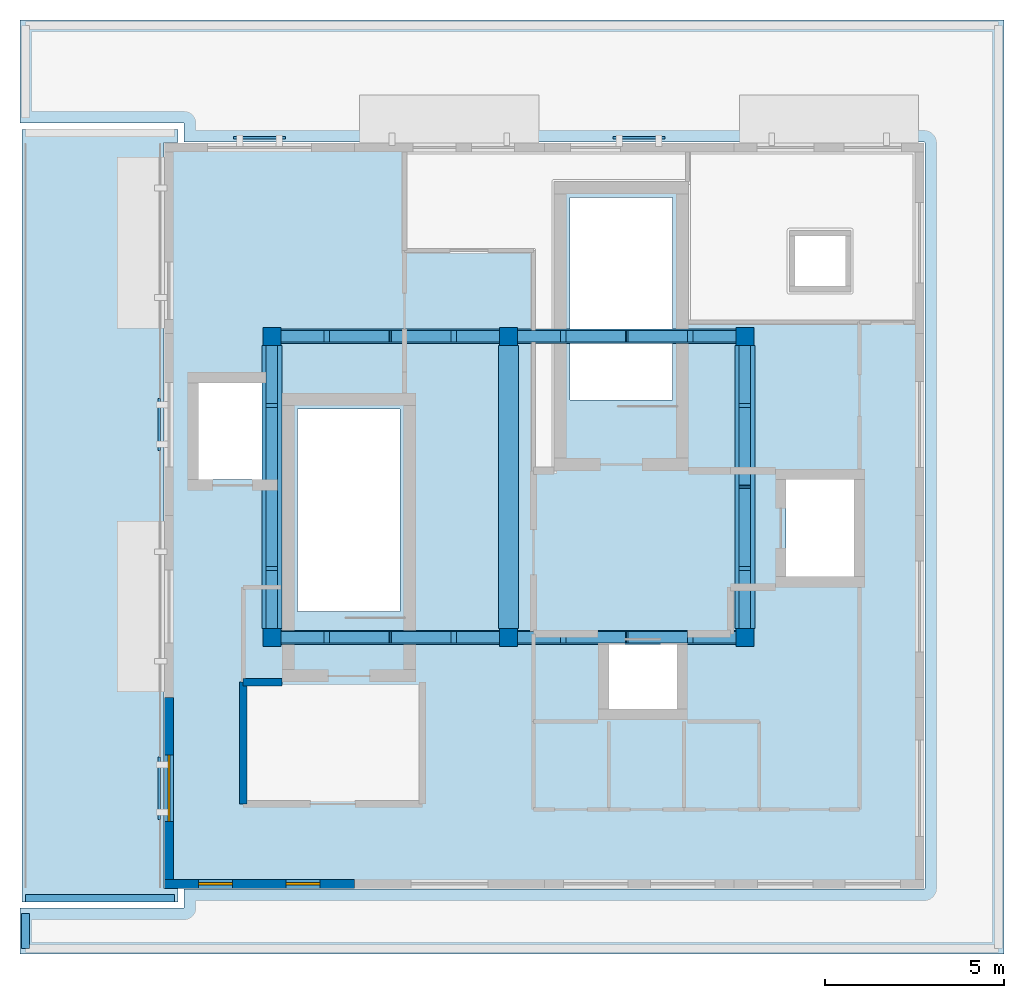
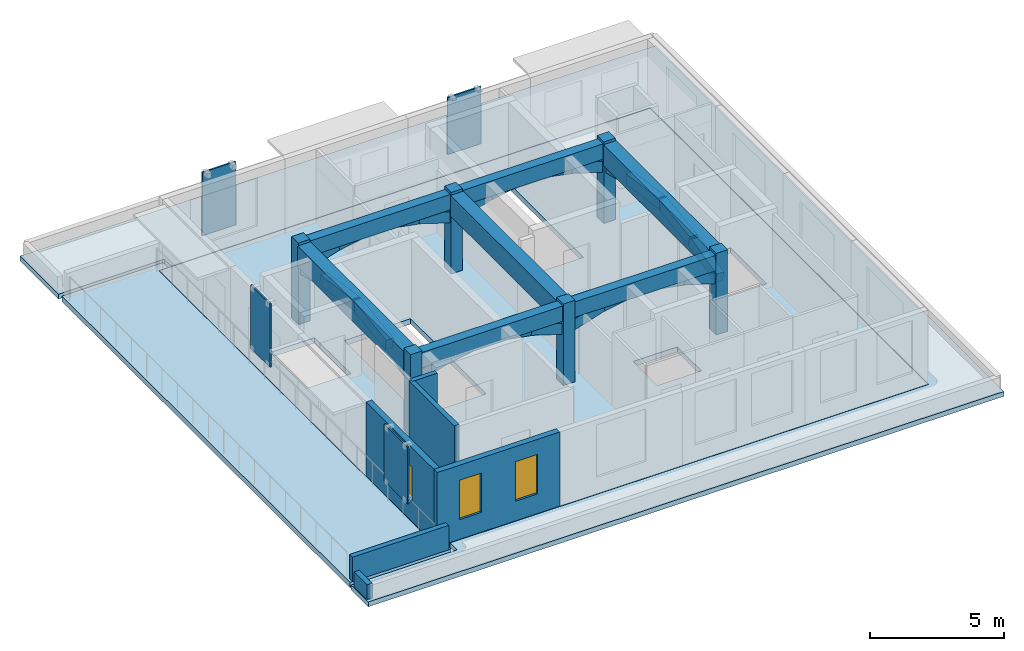
# One storey, part 1 of 5: 24 members, 7 beams, 6 columns, 6 walls, 4 plates, 3 slabs, 3 windows, 3 openings.
"""IFC4 building model written with IfcOpenShell, lengths in metres."""

from ifc_helpers import new_model, si_unit, direction, frame, frame_2d, origin, origin_2d, place, context, subcontext, project, spatial, polyline, rectangle, outline, extrude, material, layer, layer_set, material_profile, profile_set, type_object, element, fill, save


model = new_model("IFC4")

# Units and contexts
model_context = context("Model", 3, precision=1e-05, world=origin(), true_north=direction((0.0, 1.0)))
body_context = subcontext(model_context, "Body", "Model", "MODEL_VIEW")
ifc_project = project(units=[si_unit("LENGTHUNIT", "METRE"), si_unit("AREAUNIT", "SQUARE_METRE"), si_unit("VOLUMEUNIT", "CUBIC_METRE"), si_unit("PLANEANGLEUNIT", "RADIAN"), si_unit("MASSUNIT", "GRAM", prefix="KILO")], contexts=[model_context])

# Site, building, storey
site_placement = place(None, origin())
site = spatial("IfcSite", under=ifc_project, at=site_placement, CompositionType="ELEMENT")
building_placement = place(site_placement, origin())
building = spatial("IfcBuilding", under=site, at=building_placement, Name="Kolvaren Faculty of Natural Sciences", CompositionType="ELEMENT")
storey_placement = place(building_placement, frame((0.0, 0.0, 44.39990234375)))
storey = spatial("IfcBuildingStorey", under=building, at=storey_placement, Name="L10", CompositionType="ELEMENT", Elevation=44.39990234375)

# Columns
ifc_material_1 = material(Name="Concrete C35/45", Category="concrete")
ifc_material_profile_1 = material_profile(ifc_material_1, rectangle(XDim=0.5, YDim=0.5, at=origin_2d()), Name="RC COL 500x500")
ifc_profile_set_1 = profile_set([ifc_material_profile_1], Name="Concrete C35/45")
column_type = type_object("IfcColumnType", Name="GaliboColumn_500x500", PredefinedType="COLUMN", material=ifc_profile_set_1)
for number, where, z_axis, x_axis, name in (
    (1, (152.0, 67.39990234375, 0.0), (0.0, 0.0, 1.0), (1.0, 0.0, 0.0), "L10 column GC-50 at 24/J"),
    (2, (152.0, 75.800048828125, 0.0), (0.0, 0.0, 1.0), (1.0, 0.0, 0.0), "L10 column GC-50 at 24/K"),
    (3, (158.60009765625, 67.39990234375, 0.0), (0.0, 0.0, 1.0), (1.0, 0.0, 0.0), "L10 column GC-50 at 25/J"),
    (4, (158.60009765625, 75.800048828125, 0.0), (0.0, 0.0, 1.0), (1.0, 0.0, 0.0), "L10 column GC-50 at 25/K"),
    (5, (165.199951171875, 67.39990234375, 0.0), (0.0, 0.0, 1.0), (1.0, 0.0, 0.0), "L10 column GC-50 at 26/J"),
    (6, (165.199951171875, 75.800048828125, 0.0), (0.0, 0.0, 1.0), (1.0, 0.0, 0.0), "L10 column GC-50 at 26/K"),
):
    element("IfcColumn", number, at=place(storey_placement, frame(where, z_axis=z_axis, x_axis=x_axis)), inside=storey, type_object=column_type, Name=name, PredefinedType="COLUMN", context=body_context, shape_type="SweptSolid", body=[
        extrude(rectangle(XDim=0.5, YDim=0.5, at=origin_2d()), origin(), (0.0, 0.0, 1.0), 3.72021484375),
    ])

# Beams
ifc_material_2 = material(Name="Concrete C40/50", Category="concrete")
ifc_material_profile_2 = material_profile(ifc_material_2, rectangle(XDim=0.550048828125, YDim=0.949951171875, at=origin_2d()), Name="RC BM 550x950")
ifc_profile_set_2 = profile_set([ifc_material_profile_2], Name="Concrete C40/50")
beam_type_1 = type_object("IfcBeamType", Name="HallGirder_550x950", PredefinedType="BEAM", material=ifc_profile_set_2)
for number, where, z_axis, x_axis, name in (
    (7, (152.0, 67.64990234375, 3.125), (0.0, 1.0, 0.0), (-1.0, 0.0, 0.0), "L10 lantern pavilion roof tie girder 152"),
    (8, (158.60009765625, 67.64990234375, 3.125), (0.0, 1.0, 0.0), (-1.0, 0.0, 0.0), "L10 lantern pavilion roof tie girder 158"),
    (9, (165.199951171875, 67.64990234375, 3.125), (0.0, 1.0, 0.0), (-1.0, 0.0, 0.0), "L10 lantern pavilion roof tie girder 165"),
):
    element("IfcBeam", number, at=place(storey_placement, frame(where, z_axis=z_axis, x_axis=x_axis)), inside=storey, type_object=beam_type_1, Name=name, PredefinedType="BEAM", context=body_context, shape_type="SweptSolid", body=[
        extrude(rectangle(XDim=0.550048828125, YDim=0.949951171875, at=origin_2d()), origin(), (0.0, 0.0, 1.0), 7.900146484375),
    ])

# Members
ifc_material_3 = material(Name="Precast concrete C35/45", Category="concrete")
ifc_material_profile_3 = material_profile(ifc_material_3, rectangle(XDim=0.320068359375, YDim=0.47998046875, at=origin_2d()), Name="RC ARCH 320x480")
ifc_profile_set_3 = profile_set([ifc_material_profile_3], Name="Precast concrete C35/45")
member_type = type_object("IfcMemberType", Name="MughalPointedArchRib_320x480", PredefinedType="CHORD", material=ifc_profile_set_3)
member_1_placement = place(storey_placement, frame((151.923828125, 67.39990234375, 2.42578125), z_axis=(0.952551964786, 0.0, 0.304376008224), x_axis=(0.0, 1.0, 0.0)))
element("IfcMember", 10, at=member_1_placement, inside=storey, type_object=member_type, Name="Pointed Mughal arch rib ARL-S-152 segment 1", PredefinedType="CHORD", context=body_context, shape_type="SweptSolid", body=[
    extrude(rectangle(XDim=0.320068359375, YDim=0.47998046875, at=origin_2d()), origin(), (0.0, 0.0, 1.0), 1.684326171875),
])
member_2_placement = place(storey_placement, frame((153.373291015625, 67.39990234375, 2.89990234375), z_axis=(0.983879491152, 0.0, 0.178832734391), x_axis=(0.0, 1.0, 0.0)))
element("IfcMember", 11, at=member_2_placement, inside=storey, type_object=member_type, Name="Pointed Mughal arch rib ARL-S-152 segment 2", PredefinedType="CHORD", context=body_context, shape_type="SweptSolid", body=[
    extrude(rectangle(XDim=0.320068359375, YDim=0.47998046875, at=origin_2d()), origin(), (0.0, 0.0, 1.0), 2.038330078125),
])
member_3_placement = place(storey_placement, frame((155.22119140625, 67.39990234375, 3.264404296875), z_axis=(0.983883321203, 0.0, -0.178811661419), x_axis=(0.0, 1.0, 0.0)))
element("IfcMember", 12, at=member_3_placement, inside=storey, type_object=member_type, Name="Pointed Mughal arch rib ARL-S-152 segment 3", PredefinedType="CHORD", context=body_context, shape_type="SweptSolid", body=[
    extrude(rectangle(XDim=0.320068359375, YDim=0.47998046875, at=origin_2d()), origin(), (0.0, 0.0, 1.0), 2.03857421875),
])
for number, where, z_axis, x_axis, name in (
    (13, (157.07177734375, 67.39990234375, 2.9384765625), (0.952551964786, 0.0, -0.304376008224), (0.0, 1.0, 0.0), "Pointed Mughal arch rib ARL-S-152 segment 4"),
    (14, (151.923828125, 75.800048828125, 2.42578125), (0.952551964786, 0.0, 0.304376008224), (0.0, 1.0, 0.0), "Pointed Mughal arch rib ARL-N-152 segment 1"),
):
    element("IfcMember", number, at=place(storey_placement, frame(where, z_axis=z_axis, x_axis=x_axis)), inside=storey, type_object=member_type, Name=name, PredefinedType="CHORD", context=body_context, shape_type="SweptSolid", body=[
        extrude(rectangle(XDim=0.320068359375, YDim=0.47998046875, at=origin_2d()), origin(), (0.0, 0.0, 1.0), 1.684326171875),
    ])
member_4_placement = place(storey_placement, frame((153.373291015625, 75.800048828125, 2.89990234375), z_axis=(0.983879491152, 0.0, 0.178832734391), x_axis=(0.0, 1.0, 0.0)))
element("IfcMember", 15, at=member_4_placement, inside=storey, type_object=member_type, Name="Pointed Mughal arch rib ARL-N-152 segment 2", PredefinedType="CHORD", context=body_context, shape_type="SweptSolid", body=[
    extrude(rectangle(XDim=0.320068359375, YDim=0.47998046875, at=origin_2d()), origin(), (0.0, 0.0, 1.0), 2.038330078125),
])
member_5_placement = place(storey_placement, frame((155.22119140625, 75.800048828125, 3.264404296875), z_axis=(0.983883321203, 0.0, -0.178811661419), x_axis=(0.0, 1.0, 0.0)))
element("IfcMember", 16, at=member_5_placement, inside=storey, type_object=member_type, Name="Pointed Mughal arch rib ARL-N-152 segment 3", PredefinedType="CHORD", context=body_context, shape_type="SweptSolid", body=[
    extrude(rectangle(XDim=0.320068359375, YDim=0.47998046875, at=origin_2d()), origin(), (0.0, 0.0, 1.0), 2.03857421875),
])
for number, where, z_axis, x_axis, name in (
    (17, (157.07177734375, 75.800048828125, 2.9384765625), (0.952551964786, 0.0, -0.304376008224), (0.0, 1.0, 0.0), "Pointed Mughal arch rib ARL-N-152 segment 4"),
    (18, (158.523681640625, 67.39990234375, 2.42578125), (0.952551964786, 0.0, 0.304376008224), (0.0, 1.0, 0.0), "Pointed Mughal arch rib ARL-S-158 segment 1"),
):
    element("IfcMember", number, at=place(storey_placement, frame(where, z_axis=z_axis, x_axis=x_axis)), inside=storey, type_object=member_type, Name=name, PredefinedType="CHORD", context=body_context, shape_type="SweptSolid", body=[
        extrude(rectangle(XDim=0.320068359375, YDim=0.47998046875, at=origin_2d()), origin(), (0.0, 0.0, 1.0), 1.684326171875),
    ])
for number, where, z_axis, x_axis, name in (
    (19, (159.973388671875, 67.39990234375, 2.89990234375), (0.983879491152, 0.0, 0.178832734391), (0.0, 1.0, 0.0), "Pointed Mughal arch rib ARL-S-158 segment 2"),
    (20, (161.8212890625, 67.39990234375, 3.264404296875), (0.983879491152, 0.0, -0.178832734391), (0.0, 1.0, 0.0), "Pointed Mughal arch rib ARL-S-158 segment 3"),
):
    element("IfcMember", number, at=place(storey_placement, frame(where, z_axis=z_axis, x_axis=x_axis)), inside=storey, type_object=member_type, Name=name, PredefinedType="CHORD", context=body_context, shape_type="SweptSolid", body=[
        extrude(rectangle(XDim=0.320068359375, YDim=0.47998046875, at=origin_2d()), origin(), (0.0, 0.0, 1.0), 2.038330078125),
    ])
member_6_placement = place(storey_placement, frame((163.671875, 67.39990234375, 2.9384765625), z_axis=(0.952538533985, 0.0, -0.304418037037), x_axis=(0.0, 1.0, 0.0)))
element("IfcMember", 21, at=member_6_placement, inside=storey, type_object=member_type, Name="Pointed Mughal arch rib ARL-S-158 segment 4", PredefinedType="CHORD", context=body_context, shape_type="SweptSolid", body=[
    extrude(rectangle(XDim=0.320068359375, YDim=0.47998046875, at=origin_2d()), origin(), (0.0, 0.0, 1.0), 1.68408203125),
])
member_7_placement = place(storey_placement, frame((158.523681640625, 75.800048828125, 2.42578125), z_axis=(0.952551964786, 0.0, 0.304376008224), x_axis=(0.0, 1.0, 0.0)))
element("IfcMember", 22, at=member_7_placement, inside=storey, type_object=member_type, Name="Pointed Mughal arch rib ARL-N-158 segment 1", PredefinedType="CHORD", context=body_context, shape_type="SweptSolid", body=[
    extrude(rectangle(XDim=0.320068359375, YDim=0.47998046875, at=origin_2d()), origin(), (0.0, 0.0, 1.0), 1.684326171875),
])
for number, where, z_axis, x_axis, name in (
    (23, (159.973388671875, 75.800048828125, 2.89990234375), (0.983879491152, 0.0, 0.178832734391), (0.0, 1.0, 0.0), "Pointed Mughal arch rib ARL-N-158 segment 2"),
    (24, (161.8212890625, 75.800048828125, 3.264404296875), (0.983879491152, 0.0, -0.178832734391), (0.0, 1.0, 0.0), "Pointed Mughal arch rib ARL-N-158 segment 3"),
):
    element("IfcMember", number, at=place(storey_placement, frame(where, z_axis=z_axis, x_axis=x_axis)), inside=storey, type_object=member_type, Name=name, PredefinedType="CHORD", context=body_context, shape_type="SweptSolid", body=[
        extrude(rectangle(XDim=0.320068359375, YDim=0.47998046875, at=origin_2d()), origin(), (0.0, 0.0, 1.0), 2.038330078125),
    ])
member_8_placement = place(storey_placement, frame((163.671875, 75.800048828125, 2.9384765625), z_axis=(0.952538533985, 0.0, -0.304418037037), x_axis=(0.0, 1.0, 0.0)))
element("IfcMember", 25, at=member_8_placement, inside=storey, type_object=member_type, Name="Pointed Mughal arch rib ARL-N-158 segment 4", PredefinedType="CHORD", context=body_context, shape_type="SweptSolid", body=[
    extrude(rectangle(XDim=0.320068359375, YDim=0.47998046875, at=origin_2d()), origin(), (0.0, 0.0, 1.0), 1.68408203125),
])
member_9_placement = place(storey_placement, frame((152.0, 67.322509765625, 2.4306640625), z_axis=(0.0, 0.969898641817, 0.243508982589), x_axis=(-1.0, 0.0, 0.0)))
element("IfcMember", 26, at=member_9_placement, inside=storey, type_object=member_type, Name="Pointed Mughal arch rib ARL-W-67 segment 1", PredefinedType="CHORD", context=body_context, shape_type="SweptSolid", body=[
    extrude(rectangle(XDim=0.320068359375, YDim=0.47998046875, at=origin_2d()), origin(), (0.0, 0.0, 1.0), 2.0654296875),
])
for number, where, z_axis, x_axis, name in (
    (27, (152.0, 69.168701171875, 2.90283203125), (0.0, 0.989949493661, 0.141421356237), (-1.0, 0.0, 0.0), "Pointed Mughal arch rib ARL-W-67 segment 2"),
    (28, (152.0, 71.520751953125, 3.261474609375), (0.0, 0.989949493661, -0.141421356237), (-1.0, 0.0, 0.0), "Pointed Mughal arch rib ARL-W-67 segment 3"),
):
    element("IfcMember", number, at=place(storey_placement, frame(where, z_axis=z_axis, x_axis=x_axis)), inside=storey, type_object=member_type, Name=name, PredefinedType="CHORD", context=body_context, shape_type="SweptSolid", body=[
        extrude(rectangle(XDim=0.320068359375, YDim=0.47998046875, at=origin_2d()), origin(), (0.0, 0.0, 1.0), 2.535888671875),
    ])
for number, where, z_axis, x_axis, name in (
    (29, (152.0, 73.87451171875, 2.93359375), (0.0, 0.969898641817, -0.243508982589), (-1.0, 0.0, 0.0), "Pointed Mughal arch rib ARL-W-67 segment 4"),
    (30, (165.199951171875, 67.322509765625, 2.4306640625), (0.0, 0.969898641817, 0.243508982589), (-1.0, 0.0, 0.0), "Pointed Mughal arch rib ARL-E-67 segment 1"),
):
    element("IfcMember", number, at=place(storey_placement, frame(where, z_axis=z_axis, x_axis=x_axis)), inside=storey, type_object=member_type, Name=name, PredefinedType="CHORD", context=body_context, shape_type="SweptSolid", body=[
        extrude(rectangle(XDim=0.320068359375, YDim=0.47998046875, at=origin_2d()), origin(), (0.0, 0.0, 1.0), 2.0654296875),
    ])
for number, where, z_axis, x_axis, name in (
    (31, (165.199951171875, 69.168701171875, 2.90283203125), (0.0, 0.989949493661, 0.141421356237), (-1.0, 0.0, 0.0), "Pointed Mughal arch rib ARL-E-67 segment 2"),
    (32, (165.199951171875, 71.520751953125, 3.261474609375), (0.0, 0.989949493661, -0.141421356237), (-1.0, 0.0, 0.0), "Pointed Mughal arch rib ARL-E-67 segment 3"),
):
    element("IfcMember", number, at=place(storey_placement, frame(where, z_axis=z_axis, x_axis=x_axis)), inside=storey, type_object=member_type, Name=name, PredefinedType="CHORD", context=body_context, shape_type="SweptSolid", body=[
        extrude(rectangle(XDim=0.320068359375, YDim=0.47998046875, at=origin_2d()), origin(), (0.0, 0.0, 1.0), 2.535888671875),
    ])
member_10_placement = place(storey_placement, frame((165.199951171875, 73.87451171875, 2.93359375), z_axis=(0.0, 0.969898641817, -0.243508982589), x_axis=(-1.0, 0.0, 0.0)))
element("IfcMember", 33, at=member_10_placement, inside=storey, type_object=member_type, Name="Pointed Mughal arch rib ARL-E-67 segment 4", PredefinedType="CHORD", context=body_context, shape_type="SweptSolid", body=[
    extrude(rectangle(XDim=0.320068359375, YDim=0.47998046875, at=origin_2d()), origin(), (0.0, 0.0, 1.0), 2.0654296875),
])

# Beams
ifc_material_profile_4 = material_profile(ifc_material_1, rectangle(XDim=0.39990234375, YDim=0.699951171875, at=origin_2d()), Name="RC BM 400x700")
ifc_profile_set_4 = profile_set([ifc_material_profile_4], Name="Concrete C35/45")
beam_type_2 = type_object("IfcBeamType", Name="UpperGirder_400x700", PredefinedType="BEAM", material=ifc_profile_set_4)
beam_1_placement = place(storey_placement, frame((152.25, 67.39990234375, 3.25), z_axis=(1.0, 0.0, 0.0), x_axis=(0.0, 1.0, 0.0)))
element("IfcBeam", 34, at=beam_1_placement, inside=storey, type_object=beam_type_2, Name="L10 lantern pavilion eave ring beam 67.152", PredefinedType="BEAM", context=body_context, shape_type="SweptSolid", body=[
    extrude(rectangle(XDim=0.39990234375, YDim=0.699951171875, at=origin_2d()), origin(), (0.0, 0.0, 1.0), 6.10009765625),
])
beam_2_placement = place(storey_placement, frame((158.85009765625, 67.39990234375, 3.25), z_axis=(1.0, 0.0, 0.0), x_axis=(0.0, 1.0, 0.0)))
element("IfcBeam", 35, at=beam_2_placement, inside=storey, type_object=beam_type_2, Name="L10 lantern pavilion eave ring beam 67.158", PredefinedType="BEAM", context=body_context, shape_type="SweptSolid", body=[
    extrude(rectangle(XDim=0.39990234375, YDim=0.699951171875, at=origin_2d()), origin(), (0.0, 0.0, 1.0), 6.099853515625),
])
beam_3_placement = place(storey_placement, frame((152.25, 75.800048828125, 3.25), z_axis=(1.0, 0.0, 0.0), x_axis=(0.0, 1.0, 0.0)))
element("IfcBeam", 36, at=beam_3_placement, inside=storey, type_object=beam_type_2, Name="L10 lantern pavilion eave ring beam 75.152", PredefinedType="BEAM", context=body_context, shape_type="SweptSolid", body=[
    extrude(rectangle(XDim=0.39990234375, YDim=0.699951171875, at=origin_2d()), origin(), (0.0, 0.0, 1.0), 6.10009765625),
])
beam_4_placement = place(storey_placement, frame((158.85009765625, 75.800048828125, 3.25), z_axis=(1.0, 0.0, 0.0), x_axis=(0.0, 1.0, 0.0)))
element("IfcBeam", 37, at=beam_4_placement, inside=storey, type_object=beam_type_2, Name="L10 lantern pavilion eave ring beam 75.158", PredefinedType="BEAM", context=body_context, shape_type="SweptSolid", body=[
    extrude(rectangle(XDim=0.39990234375, YDim=0.699951171875, at=origin_2d()), origin(), (0.0, 0.0, 1.0), 6.099853515625),
])

# Plates
ifc_material_4 = material(Name="Extruded architectural terracotta screen", Category="masonry")
ifc_layer_1 = layer(ifc_material_4, 0.06494140625)
ifc_layer_set_1 = layer_set([ifc_layer_1], Name="Extruded architectural terracotta screen")
plate_type_1 = type_object("IfcPlateType", Name="EnvelopePlate_JL01", PredefinedType="USERDEFINED", material=ifc_layer_set_1)
plate_1_placement = place(storey_placement, frame((162.25, 81.340087890625, 0.85009765625), z_axis=(0.0, 0.0, 1.0), x_axis=(1.0, 0.0, 0.0)))
element("IfcPlate", 38, at=plate_1_placement, inside=storey, type_object=plate_type_1, Name="L10 perforated terracotta jali sun screen JL-01", ObjectType="SCREEN", PredefinedType="USERDEFINED", context=body_context, shape_type="SweptSolid", body=[
    extrude(rectangle(XDim=1.449951171875, YDim=0.06494140625, at=origin_2d()), origin(), (0.0, 0.0, 1.0), 2.60009765625),
])
ifc_layer_2 = layer(ifc_material_4, 0.06494140625)
ifc_layer_set_2 = layer_set([ifc_layer_2], Name="Extruded architectural terracotta screen")
plate_type_2 = type_object("IfcPlateType", Name="EnvelopePlate_JL02", PredefinedType="USERDEFINED", material=ifc_layer_set_2)
plate_2_placement = place(storey_placement, frame((148.860107421875, 63.1875, 0.85009765625), z_axis=(0.0, 0.0, 1.0), x_axis=(0.0, 1.0, 0.0)))
element("IfcPlate", 39, at=plate_2_placement, inside=storey, type_object=plate_type_2, Name="L10 perforated terracotta jali sun screen JL-02", ObjectType="SCREEN", PredefinedType="USERDEFINED", context=body_context, shape_type="SweptSolid", body=[
    extrude(rectangle(XDim=1.75, YDim=0.06494140625, at=origin_2d()), origin(), (0.0, 0.0, 1.0), 2.60009765625),
])
ifc_layer_3 = layer(ifc_material_4, 0.06494140625)
ifc_layer_set_3 = layer_set([ifc_layer_3], Name="Extruded architectural terracotta screen")
plate_type_3 = type_object("IfcPlateType", Name="EnvelopePlate_JL03", PredefinedType="USERDEFINED", material=ifc_layer_set_3)
for number, where, z_axis, x_axis, name in (
    (40, (151.64990234375, 81.340087890625, 0.85009765625), (0.0, 0.0, 1.0), (1.0, 0.0, 0.0), "L10 perforated terracotta jali sun screen JL-03"),
    (41, (148.860107421875, 73.33740234375, 0.85009765625), (0.0, 0.0, 1.0), (0.0, 1.0, 0.0), "L10 perforated terracotta jali sun screen JL-03"),
):
    element("IfcPlate", number, at=place(storey_placement, frame(where, z_axis=z_axis, x_axis=x_axis)), inside=storey, type_object=plate_type_3, Name=name, ObjectType="SCREEN", PredefinedType="USERDEFINED", context=body_context, shape_type="SweptSolid", body=[
        extrude(rectangle(XDim=1.449951171875, YDim=0.06494140625, at=origin_2d()), origin(), (0.0, 0.0, 1.0), 2.889892578125),
    ])

# Slabs
ifc_layer_4 = layer(ifc_material_1, 0.219970703125)
ifc_layer_set_4 = layer_set([ifc_layer_4], Name="Concrete C35/45")
slab_type_1 = type_object("IfcSlabType", Name="FlatWingRoofSlab_220", PredefinedType="ROOF", material=ifc_layer_set_4)
slab_1_placement = place(storey_placement, frame((0.0, 0.0, -0.219970703125)))
element("IfcSlab", 42, at=slab_1_placement, inside=storey, type_object=slab_type_1, Name="L10 flat reinforced concrete roof slab 1", PredefinedType="ROOF", context=body_context, shape_type="SweptSolid", body=[
    extrude(outline(polyline([(172.429931640625, 84.6298828125), (172.429931640625, 58.570068359375), (144.969970703125, 58.570068359375), (144.969970703125, 59.85009765625), (149.550048828125, 59.85009765625), (149.550048828125, 60.3798828125), (170.199951171875, 60.3798828125), (170.201904296875, 60.380126953125), (170.203857421875, 60.38037109375), (170.205810546875, 60.380859375), (170.207763671875, 60.381591796875), (170.20947265625, 60.38232421875), (170.211181640625, 60.38330078125), (170.212646484375, 60.384521484375), (170.214111328125, 60.385986328125), (170.215576171875, 60.38720703125), (170.216552734375, 60.388916015625), (170.217529296875, 60.390625), (170.218505859375, 60.392333984375), (170.218994140625, 60.394287109375), (170.219482421875, 60.39599609375), (170.219970703125, 60.39794921875), (170.219970703125, 60.39990234375), (170.219970703125, 81.199951171875), (170.219970703125, 81.201904296875), (170.219482421875, 81.203857421875), (170.218994140625, 81.205810546875), (170.218505859375, 81.207763671875), (170.217529296875, 81.20947265625), (170.216552734375, 81.211181640625), (170.215576171875, 81.212646484375), (170.214111328125, 81.214111328125), (170.212646484375, 81.215576171875), (170.211181640625, 81.216552734375), (170.20947265625, 81.217529296875), (170.207763671875, 81.218505859375), (170.205810546875, 81.218994140625), (170.203857421875, 81.219482421875), (170.201904296875, 81.219970703125), (170.199951171875, 81.219970703125), (149.550048828125, 81.219970703125), (149.550048828125, 81.75), (144.969970703125, 81.75), (144.969970703125, 84.6298828125), (172.429931640625, 84.6298828125)])), origin(), (0.0, 0.0, 1.0), 0.219970703125),
])
ifc_layer_5 = layer(ifc_material_1, 0.239990234375)
ifc_layer_set_5 = layer_set([ifc_layer_5], Name="Concrete C35/45")
slab_type_2 = type_object("IfcSlabType", Name="GaliboFloorSlab_240", PredefinedType="FLOOR", material=ifc_layer_set_5)
slab_2_placement = place(storey_placement, frame((0.0, 0.0, -0.239990234375)))
element("IfcSlab", 43, at=slab_2_placement, inside=storey, type_object=slab_type_2, Name="L10 V6 structural slab 1", PredefinedType="FLOOR", context=body_context, shape_type="SweptSolid", body=[
    extrude(outline(polyline([(149.0, 60.39990234375), (149.0, 81.199951171875), (170.199951171875, 81.199951171875), (170.199951171875, 60.39990234375), (149.0, 60.39990234375)]), holes=[polyline([(166.35009765625, 71.800048828125), (166.35009765625, 69.10009765625), (168.25, 69.10009765625), (168.25, 71.800048828125), (166.35009765625, 71.800048828125)]), polyline([(166.60009765625, 78.60009765625), (166.60009765625, 77.199951171875), (168.0, 77.199951171875), (168.0, 78.60009765625), (166.60009765625, 78.60009765625)]), polyline([(161.39990234375, 65.39990234375), (163.300048828125, 65.39990234375), (163.300048828125, 67.199951171875), (161.39990234375, 67.199951171875), (161.39990234375, 65.39990234375)]), polyline([(160.320068359375, 79.679931640625), (160.320068359375, 74.02001953125), (163.179931640625, 74.02001953125), (163.179931640625, 79.679931640625), (160.320068359375, 79.679931640625)]), polyline([(152.719970703125, 73.780029296875), (152.719970703125, 68.1201171875), (155.580078125, 68.1201171875), (155.580078125, 73.780029296875), (152.719970703125, 73.780029296875)]), polyline([(149.949951171875, 71.800048828125), (151.85009765625, 71.800048828125), (151.85009765625, 74.5), (149.949951171875, 74.5), (149.949951171875, 71.800048828125)])]), origin(), (0.0, 0.0, 1.0), 0.239990234375),
])
ifc_layer_6 = layer(ifc_material_1, 0.25)
ifc_layer_set_6 = layer_set([ifc_layer_6], Name="Concrete C35/45")
slab_type_3 = type_object("IfcSlabType", Name="GaliboTerraceSlab_250", PredefinedType="FLOOR", material=ifc_layer_set_6)
slab_3_placement = place(storey_placement, frame((0.0, 0.0, -0.25)))
element("IfcSlab", 44, at=slab_3_placement, inside=storey, type_object=slab_type_3, Name="Observatory Galibo Perimeter Roof Terrace", PredefinedType="FLOOR", context=body_context, shape_type="SweptSolid", body=[
    extrude(outline(polyline([(145.02001953125, 60.02001953125), (145.02001953125, 81.580078125), (149.3798828125, 81.580078125), (149.3798828125, 81.2099609375), (149.0, 81.2099609375), (148.9990234375, 81.2099609375), (148.998046875, 81.209716796875), (148.9970703125, 81.209716796875), (148.99609375, 81.209228515625), (148.995361328125, 81.208740234375), (148.994384765625, 81.208251953125), (148.99365234375, 81.207763671875), (148.992919921875, 81.20703125), (148.9921875, 81.206298828125), (148.99169921875, 81.20556640625), (148.9912109375, 81.20458984375), (148.99072265625, 81.203857421875), (148.990478515625, 81.202880859375), (148.990234375, 81.201904296875), (148.989990234375, 81.200927734375), (148.989990234375, 81.199951171875), (148.989990234375, 60.39990234375), (148.989990234375, 60.39892578125), (148.990234375, 60.39794921875), (148.990478515625, 60.397216796875), (148.99072265625, 60.396240234375), (148.9912109375, 60.395263671875), (148.99169921875, 60.394287109375), (148.9921875, 60.393798828125), (148.992919921875, 60.392822265625), (148.99365234375, 60.392333984375), (148.994384765625, 60.3916015625), (148.995361328125, 60.39111328125), (148.99609375, 60.390869140625), (148.9970703125, 60.390380859375), (148.998046875, 60.39013671875), (148.9990234375, 60.389892578125), (149.0, 60.389892578125), (149.3798828125, 60.389892578125), (149.3798828125, 60.02001953125), (145.02001953125, 60.02001953125)])), origin(), (0.0, 0.0, 1.0), 0.25),
])

# Wall, opening, window
ifc_layer_7 = layer(ifc_material_3, 0.25)
ifc_layer_set_7 = layer_set([ifc_layer_7], Name="Precast concrete C35/45")
wall_type_1 = type_object("IfcWallType", Name="ExteriorTowerWall_250", PredefinedType="STANDARD", material=ifc_layer_set_7)
wall_1_placement = place(storey_placement, frame((149.125, 60.64990234375, 0.0), z_axis=(0.0, 0.0, 1.0), x_axis=(0.0, 1.0, 0.0)))
wall_1 = element("IfcWall", 45, at=wall_1_placement, inside=storey, type_object=wall_type_1, Name="L10 exterior masonry wall EW-250 (762)", PredefinedType="STANDARD", context=body_context, shape_type="SweptSolid", body=[
    extrude(rectangle(XDim=5.0751953125, YDim=0.25, at=frame_2d((2.53759765625, 0.0))), origin(), (0.0, 0.0, 1.0), 3.39013671875),
])
opening_1_placement = place(wall_1_placement, frame((1.612548828125, 0.0, 0.89990234375)))
opening_1 = element("IfcOpeningElement", 46, at=opening_1_placement, cuts=wall_1, Name="Opening WIN-16", PredefinedType="OPENING", context=body_context, shape_type="SweptSolid", body=[
    extrude(rectangle(XDim=1.85009765625, YDim=1.60009765625, at=frame_2d((0.925048828125, 0.800048828125))), frame((0.0, 0.135009765625, 0.0), z_axis=(0.0, -1.0, 0.0), x_axis=(1.0, 0.0, 0.0)), (0.0, 0.0, 1.0), 0.27001953125),
])
ifc_material_5 = material(Name="Double low-E solar control insulated glazing", Category="glass")
window_type_1 = type_object("IfcWindowType", Name="AluWindow_WIN16_1850x1600", PartitioningType="SINGLE_PANEL", PredefinedType="WINDOW", material=ifc_material_5)
window_1_placement = place(opening_1_placement, origin())
window_1 = element("IfcWindow", 47, at=window_1_placement, inside=storey, type_object=window_type_1, Name="WIN-L10-0637", OverallHeight=1.60009765625, OverallWidth=1.85009765625, PartitioningType="SINGLE_PANEL", PredefinedType="WINDOW", context=body_context, shape_type="SweptSolid", body=[
    extrude(rectangle(XDim=1.85009765625, YDim=1.60009765625, at=frame_2d((0.925048828125, 0.800048828125))), frame((0.0, 0.030029296875, 0.0), z_axis=(0.0, -1.0, 0.0), x_axis=(1.0, 0.0, 0.0)), (0.0, 0.0, 1.0), 0.06005859375),
])
fill(opening_1, window_1)

# Wall, openings, windows
wall_2_placement = place(storey_placement, frame((154.300048828125, 60.52490234375, 0.0), z_axis=(0.0, 0.0, 1.0), x_axis=(-1.0, 0.0, 0.0)))
wall_2 = element("IfcWall", 48, at=wall_2_placement, inside=storey, type_object=wall_type_1, Name="L10 exterior masonry wall EW-250 (769)", PredefinedType="STANDARD", context=body_context, shape_type="SweptSolid", body=[
    extrude(rectangle(XDim=5.300048828125, YDim=0.25, at=frame_2d((2.64990234375, 0.0))), origin(), (0.0, 0.0, 1.0), 3.39013671875),
])
opening_2_placement = place(wall_2_placement, frame((0.9560546875, 0.0, 0.89990234375)))
opening_2 = element("IfcOpeningElement", 49, at=opening_2_placement, cuts=wall_2, Name="Opening WIN-23", PredefinedType="OPENING", context=body_context, shape_type="SweptSolid", body=[
    extrude(rectangle(XDim=0.949951171875, YDim=1.800048828125, at=frame_2d((0.47509765625, 0.89990234375))), frame((0.0, 0.135009765625, 0.0), z_axis=(0.0, -1.0, 0.0), x_axis=(1.0, 0.0, 0.0)), (0.0, 0.0, 1.0), 0.27001953125),
])
opening_3_placement = place(wall_2_placement, frame((3.39404296875, 0.0, 0.89990234375)))
opening_3 = element("IfcOpeningElement", 50, at=opening_3_placement, cuts=wall_2, Name="Opening WIN-23", PredefinedType="OPENING", context=body_context, shape_type="SweptSolid", body=[
    extrude(rectangle(XDim=0.949951171875, YDim=1.800048828125, at=frame_2d((0.47509765625, 0.89990234375))), frame((0.0, 0.135009765625, 0.0), z_axis=(0.0, -1.0, 0.0), x_axis=(1.0, 0.0, 0.0)), (0.0, 0.0, 1.0), 0.27001953125),
])
window_type_2 = type_object("IfcWindowType", Name="AluWindow_WIN23_950x1800", PartitioningType="SINGLE_PANEL", PredefinedType="WINDOW", material=ifc_material_5)
window_2_placement = place(opening_2_placement, origin())
window_2 = element("IfcWindow", 51, at=window_2_placement, inside=storey, type_object=window_type_2, Name="WIN-L10-0645", OverallHeight=1.800048828125, OverallWidth=0.949951171875, PartitioningType="SINGLE_PANEL", PredefinedType="WINDOW", context=body_context, shape_type="SweptSolid", body=[
    extrude(rectangle(XDim=0.949951171875, YDim=1.800048828125, at=frame_2d((0.47509765625, 0.89990234375))), frame((0.0, 0.030029296875, 0.0), z_axis=(0.0, -1.0, 0.0), x_axis=(1.0, 0.0, 0.0)), (0.0, 0.0, 1.0), 0.06005859375),
])
fill(opening_2, window_2)
window_3_placement = place(opening_3_placement, origin())
window_3 = element("IfcWindow", 52, at=window_3_placement, inside=storey, type_object=window_type_2, Name="WIN-L10-0646", OverallHeight=1.800048828125, OverallWidth=0.949951171875, PartitioningType="SINGLE_PANEL", PredefinedType="WINDOW", context=body_context, shape_type="SweptSolid", body=[
    extrude(rectangle(XDim=0.949951171875, YDim=1.800048828125, at=frame_2d((0.47509765625, 0.89990234375))), frame((0.0, 0.030029296875, 0.0), z_axis=(0.0, -1.0, 0.0), x_axis=(1.0, 0.0, 0.0)), (0.0, 0.0, 1.0), 0.06005859375),
])
fill(opening_3, window_3)

# Walls
ifc_material_6 = material(Name="Autoclaved aerated fire-rated masonry blockwork", Category="masonry")
ifc_layer_8 = layer(ifc_material_6, 0.199951171875)
ifc_layer_set_8 = layer_set([ifc_layer_8], Name="Autoclaved aerated fire-rated masonry blockwork")
wall_type_2 = type_object("IfcWallType", Name="FireLobbyWall_200", PredefinedType="PARTITIONING", material=ifc_layer_set_8)
wall_3_placement = place(storey_placement, frame((151.199951171875, 66.14990234375, 0.0), z_axis=(0.0, 0.0, 1.0), x_axis=(1.0, 0.0, 0.0)))
element("IfcWall", 53, at=wall_3_placement, inside=storey, type_object=wall_type_2, Name="L10 interior partition FW-200", PredefinedType="PARTITIONING", context=body_context, shape_type="SweptSolid", body=[
    extrude(rectangle(XDim=1.074951171875, YDim=0.199951171875, at=frame_2d((0.53759765625, 0.0))), origin(), (0.0, 0.0, 1.0), 3.360107421875),
])
wall_4_placement = place(storey_placement, frame((151.199951171875, 62.75, 0.0), z_axis=(0.0, 0.0, 1.0), x_axis=(0.0, 1.0, 0.0)))
element("IfcWall", 54, at=wall_4_placement, inside=storey, type_object=wall_type_2, Name="L10 interior partition FW-200", PredefinedType="PARTITIONING", context=body_context, shape_type="SweptSolid", body=[
    extrude(rectangle(XDim=3.39990234375, YDim=0.199951171875, at=frame_2d((1.699951171875, 0.0))), origin(), (0.0, 0.0, 1.0), 3.360107421875),
])
ifc_layer_9 = layer(ifc_material_3, 0.219970703125)
ifc_layer_set_9 = layer_set([ifc_layer_9], Name="Precast concrete C35/45")
wall_type_3 = type_object("IfcWallType", Name="ParapetUpstandWall_220", PredefinedType="PARAPET", material=ifc_layer_set_9)
wall_5_placement = place(storey_placement, frame((149.280029296875, 60.1201171875, 0.0), z_axis=(0.0, 0.0, 1.0), x_axis=(-1.0, 0.0, 0.0)))
element("IfcWall", 55, at=wall_5_placement, inside=storey, type_object=wall_type_3, Name="L10 terrace-to-roof guard parapet divider 8", PredefinedType="PARAPET", context=body_context, shape_type="SweptSolid", body=[
    extrude(rectangle(XDim=4.159912109375, YDim=0.219970703125, at=frame_2d((2.080078125, 0.0))), origin(), (0.0, 0.0, 1.0), 1.1201171875),
])
wall_6_placement = place(storey_placement, frame((145.1201171875, 58.719970703125, 0.0), z_axis=(0.0, 0.0, 1.0), x_axis=(0.0, 1.0, 0.0)))
element("IfcWall", 56, at=wall_6_placement, inside=storey, type_object=wall_type_3, Name="L10 architectural sandstone roof parapet 78", PredefinedType="PARAPET", context=body_context, shape_type="SweptSolid", body=[
    extrude(rectangle(XDim=0.97998046875, YDim=0.219970703125, at=frame_2d((0.489990234375, 0.0))), origin(), (0.0, 0.0, 1.0), 0.68017578125),
])

save(model, "model.ifc")
